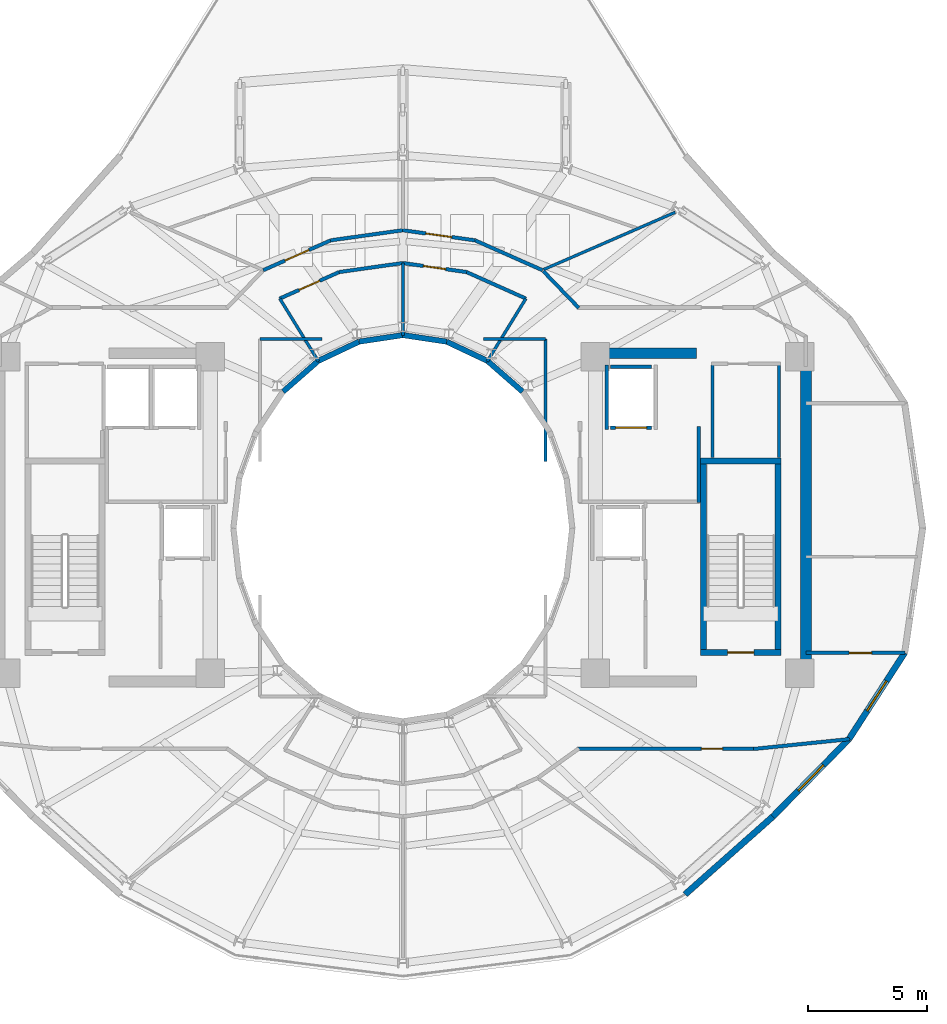
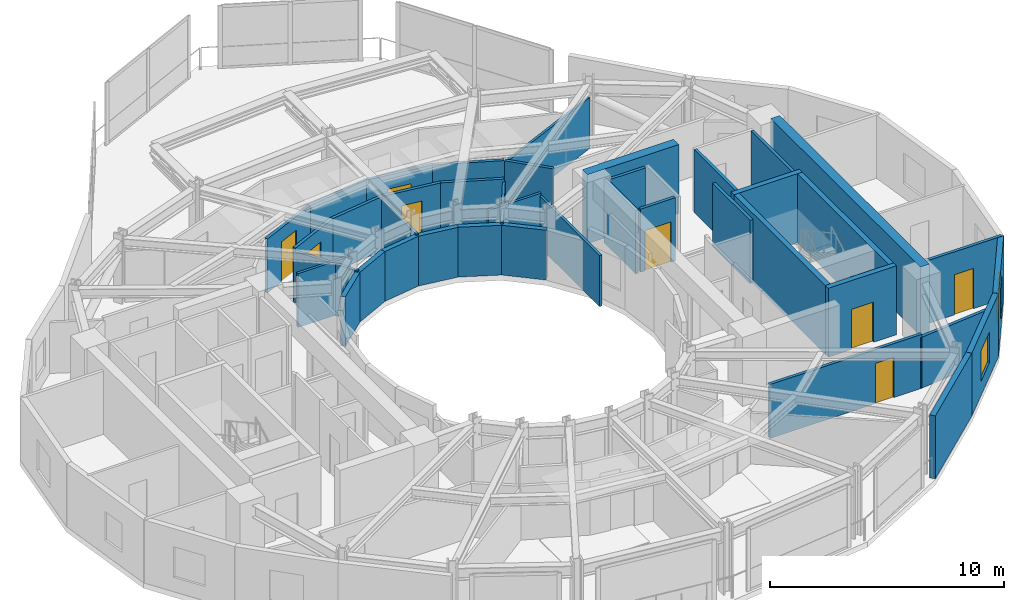
# One storey, part 15 of 19: 40 walls, 8 doors, 2 windows, 10 openings.
"""IFC4 building model written with IfcOpenShell, lengths in metres."""

from ifc_helpers import new_model, si_unit, direction, frame, frame_2d, origin, place, context, subcontext, project, spatial, rectangle, extrude, material, layer, layer_set, type_object, element, fill, save


model = new_model("IFC4")

# Units and contexts
model_context = context("Model", 3, precision=1e-05, world=origin(), true_north=direction((0.0, 1.0)))
body_context = subcontext(model_context, "Body", "Model", "MODEL_VIEW")
ifc_project = project(units=[si_unit("LENGTHUNIT", "METRE"), si_unit("AREAUNIT", "SQUARE_METRE"), si_unit("VOLUMEUNIT", "CUBIC_METRE"), si_unit("PLANEANGLEUNIT", "RADIAN"), si_unit("MASSUNIT", "GRAM", prefix="KILO")], contexts=[model_context])

# Site, building, storey
site_placement = place(None, origin())
site = spatial("IfcSite", under=ifc_project, at=site_placement, CompositionType="ELEMENT")
building_placement = place(site_placement, origin())
building = spatial("IfcBuilding", under=site, at=building_placement, Name="Solvane Sanctuary Tower", CompositionType="ELEMENT")
storey_placement = place(building_placement, frame((0.0, 0.0, 242.39990234375)))
storey = spatial("IfcBuildingStorey", under=building, at=storey_placement, Name="L74", CompositionType="ELEMENT", Elevation=242.39990234375)

# Walls
ifc_material_1 = material(Name="Concrete C50/60", Category="concrete")
ifc_layer_1 = layer(ifc_material_1, 0.449951171875, Name="Concrete C50/60")
ifc_layer_set_1 = layer_set([ifc_layer_1], Name="Concrete C50/60")
wall_type_1 = type_object("IfcWallType", Name="Wall W-CORE-450", PredefinedType="SHEAR", material=ifc_layer_set_1)
wall_1_placement = place(storey_placement, frame((48.949951171875, 17.050048828125, 0.0), z_axis=(0.0, 0.0, 1.0), x_axis=(0.0, 1.0, 0.0)))
element("IfcWall", 1, at=wall_1_placement, inside=storey, type_object=wall_type_1, Name="L74 Core Shear Wall EC-E", PredefinedType="SHEAR", context=body_context, shape_type="SweptSolid", body=[
    extrude(rectangle(XDim=12.800048828125, YDim=0.449951171875, at=frame_2d((6.39990234375, 0.0))), origin(), (0.0, 0.0, 1.0), 3.60009765625),
])
wall_2_placement = place(storey_placement, frame((39.85009765625, 30.35009765625, 0.0), z_axis=(0.0, 0.0, 1.0), x_axis=(1.0, 0.0, 0.0)))
element("IfcWall", 2, at=wall_2_placement, inside=storey, type_object=wall_type_1, Name="L74 Core Shear Wall EC-N", PredefinedType="SHEAR", context=body_context, shape_type="SweptSolid", body=[
    extrude(rectangle(XDim=4.5, YDim=0.449951171875, at=frame_2d((2.25, 0.0))), origin(), (0.0, 0.0, 1.0), 3.60009765625),
])
ifc_material_2 = material(Name="Acoustic Gypsum Partition Board")
ifc_layer_2 = layer(ifc_material_2, 0.14990234375, Name="Acoustic Gypsum Partition Board")
ifc_layer_set_2 = layer_set([ifc_layer_2], Name="Acoustic Gypsum Partition Board")
wall_type_2 = type_object("IfcWallType", Name="Wall W-CORR-150", PredefinedType="PARTITIONING", material=ifc_layer_set_2)
wall_3_placement = place(storey_placement, frame((44.449951171875, 24.080078125, 0.0), z_axis=(0.0, 0.0, 1.0), x_axis=(0.0, 1.0, 0.0)))
element("IfcWall", 3, at=wall_3_placement, inside=storey, type_object=wall_type_2, Name="L74 East Firefighting Lobby East Wall", PredefinedType="PARTITIONING", context=body_context, shape_type="SweptSolid", body=[
    extrude(rectangle(XDim=3.199951171875, YDim=0.14990234375, at=frame_2d((1.60009765625, 0.0))), origin(), (0.0, 0.0, 1.0), 3.295166015625),
])
wall_4_placement = place(storey_placement, frame((37.181396484375, 32.65234375, 0.0), z_axis=(0.0, 0.0, 1.0), x_axis=(-0.913120130558, 0.407690602257, 0.0)))
element("IfcWall", 4, at=wall_4_placement, inside=storey, type_object=wall_type_2, Name="L74 Light-Well Alcove Corridor Wall 1", PredefinedType="PARTITIONING", context=body_context, shape_type="SweptSolid", body=[
    extrude(rectangle(XDim=2.74267578125, YDim=0.14990234375, at=frame_2d((1.371337890625, 0.0))), origin(), (0.0, 0.0, 1.0), 2.822998046875),
])

# Wall, opening, door
wall_5_placement = place(storey_placement, frame((34.680419921875, 33.76953125, 0.0), z_axis=(0.0, 0.0, 1.0), x_axis=(-0.990132151456, 0.140136799779, 0.0)))
wall_5 = element("IfcWall", 5, at=wall_5_placement, inside=storey, type_object=wall_type_2, Name="L74 Light-Well Alcove Corridor Wall 1", PredefinedType="PARTITIONING", context=body_context, shape_type="SweptSolid", body=[
    extrude(rectangle(XDim=2.71435546875, YDim=0.14990234375, at=frame_2d((1.357177734375, 0.0))), origin(), (0.0, 0.0, 1.0), 2.822998046875),
])
opening_1_placement = place(wall_5_placement, frame((0.882080078125, 0.0, 0.0)))
opening_1 = element("IfcOpeningElement", 6, at=opening_1_placement, cuts=wall_5, Name="Opening D-L74-09", PredefinedType="OPENING", context=body_context, shape_type="SweptSolid", body=[
    extrude(rectangle(XDim=0.949951171875, YDim=2.10009765625, at=frame_2d((0.47509765625, 1.050048828125))), frame((0.0, 0.0849609375, 0.0), z_axis=(0.0, -1.0, 0.0), x_axis=(1.0, 0.0, 0.0)), (0.0, 0.0, 1.0), 0.169921875),
])
ifc_material_3 = material(Name="Engineered Tropical Hardwood", Category="wood")
door_type_1 = type_object("IfcDoorType", Name="Door D-ROOM-950", OperationType="NOTDEFINED", PredefinedType="DOOR", material=ifc_material_3)
door_1_placement = place(opening_1_placement, origin())
door_1 = element("IfcDoor", 7, at=door_1_placement, inside=storey, type_object=door_type_1, Name="L74 Light-Well Alcove Door 1", OperationType="SINGLE_SWING_RIGHT", OverallHeight=2.10009765625, OverallWidth=0.949951171875, PredefinedType="DOOR", context=body_context, shape_type="SweptSolid", body=[
    extrude(rectangle(XDim=0.949951171875, YDim=2.10009765625, at=frame_2d((0.47509765625, 1.050048828125))), frame((0.0, 0.02490234375, 0.0), z_axis=(0.0, -1.0, 0.0), x_axis=(1.0, 0.0, 0.0)), (0.0, 0.0, 1.0), 0.050048828125),
])
fill(opening_1, door_1)

# Wall
wall_6_placement = place(storey_placement, frame((32.007080078125, 34.14990234375, 0.0), z_axis=(0.0, 0.0, 1.0), x_axis=(-0.990132151456, -0.140136799779, 0.0)))
element("IfcWall", 8, at=wall_6_placement, inside=storey, type_object=wall_type_2, Name="L74 Light-Well Alcove Corridor Wall 2", PredefinedType="PARTITIONING", context=body_context, shape_type="SweptSolid", body=[
    extrude(rectangle(XDim=2.71435546875, YDim=0.14990234375, at=frame_2d((1.357177734375, 0.0))), origin(), (0.0, 0.0, 1.0), 2.822998046875),
])

# Wall, opening, door
wall_7_placement = place(storey_placement, frame((29.322998046875, 33.7705078125, 0.0), z_axis=(0.0, 0.0, 1.0), x_axis=(-0.913120130558, -0.407690602257, 0.0)))
wall_7 = element("IfcWall", 9, at=wall_7_placement, inside=storey, type_object=wall_type_2, Name="L74 Light-Well Alcove Corridor Wall 2", PredefinedType="PARTITIONING", context=body_context, shape_type="SweptSolid", body=[
    extrude(rectangle(XDim=2.74267578125, YDim=0.14990234375, at=frame_2d((1.371337890625, 0.0))), origin(), (0.0, 0.0, 1.0), 2.822998046875),
])
opening_2_placement = place(wall_7_placement, frame((0.896240234375, 0.0, 0.0)))
opening_2 = element("IfcOpeningElement", 10, at=opening_2_placement, cuts=wall_7, Name="Opening D-L74-10", PredefinedType="OPENING", context=body_context, shape_type="SweptSolid", body=[
    extrude(rectangle(XDim=0.949951171875, YDim=2.10009765625, at=frame_2d((0.47509765625, 1.050048828125))), frame((0.0, 0.0849609375, 0.0), z_axis=(0.0, -1.0, 0.0), x_axis=(1.0, 0.0, 0.0)), (0.0, 0.0, 1.0), 0.169921875),
])
door_2_placement = place(opening_2_placement, origin())
door_2 = element("IfcDoor", 11, at=door_2_placement, inside=storey, type_object=door_type_1, Name="L74 Light-Well Alcove Door 2", OperationType="SINGLE_SWING_LEFT", OverallHeight=2.10009765625, OverallWidth=0.949951171875, PredefinedType="DOOR", context=body_context, shape_type="SweptSolid", body=[
    extrude(rectangle(XDim=0.949951171875, YDim=2.10009765625, at=frame_2d((0.47509765625, 1.050048828125))), frame((0.0, 0.02490234375, 0.0), z_axis=(0.0, -1.0, 0.0), x_axis=(1.0, 0.0, 0.0)), (0.0, 0.0, 1.0), 0.050048828125),
])
fill(opening_2, door_2)

wall_8_placement = place(storey_placement, frame((48.949951171875, 17.754638671875, 0.0), z_axis=(0.0, 0.0, 1.0), x_axis=(1.0, 0.0, 0.0)))
wall_8 = element("IfcWall", 12, at=wall_8_placement, inside=storey, type_object=wall_type_2, Name="L74 East Shoulder South Wall", PredefinedType="PARTITIONING", context=body_context, shape_type="SweptSolid", body=[
    extrude(rectangle(XDim=4.174560546875, YDim=0.14990234375, at=frame_2d((2.08740234375, 0.0))), origin(), (0.0, 0.0, 1.0), 3.295166015625),
])
opening_3_placement = place(wall_8_placement, frame((1.817138671875, 0.0, 0.0)))
opening_3 = element("IfcOpeningElement", 13, at=opening_3_placement, cuts=wall_8, Name="Opening D-L74-13", PredefinedType="OPENING", context=body_context, shape_type="SweptSolid", body=[
    extrude(rectangle(XDim=0.949951171875, YDim=2.10009765625, at=frame_2d((0.47509765625, 1.050048828125))), frame((0.0, 0.0849609375, 0.0), z_axis=(0.0, -1.0, 0.0), x_axis=(1.0, 0.0, 0.0)), (0.0, 0.0, 1.0), 0.169921875),
])
door_3_placement = place(opening_3_placement, origin())
door_3 = element("IfcDoor", 14, at=door_3_placement, inside=storey, type_object=door_type_1, Name="L74 East Shoulder South Door", OperationType="SINGLE_SWING_RIGHT", OverallHeight=2.10009765625, OverallWidth=0.949951171875, PredefinedType="DOOR", context=body_context, shape_type="SweptSolid", body=[
    extrude(rectangle(XDim=0.949951171875, YDim=2.10009765625, at=frame_2d((0.47509765625, 1.050048828125))), frame((0.0, 0.02490234375, 0.0), z_axis=(0.0, -1.0, 0.0), x_axis=(1.0, 0.0, 0.0)), (0.0, 0.0, 1.0), 0.050048828125),
])
fill(opening_3, door_3)

# Wall
wall_9_placement = place(storey_placement, frame((37.9033203125, 33.811767578125, 0.0), z_axis=(0.0, 0.0, 1.0), x_axis=(0.694032962553, -0.719943224768, 0.0)))
element("IfcWall", 15, at=wall_9_placement, inside=storey, type_object=wall_type_2, Name="L74 NE Corner Throat Wall", PredefinedType="PARTITIONING", context=body_context, shape_type="SweptSolid", body=[
    extrude(rectangle(XDim=2.15771484375, YDim=0.14990234375, at=frame_2d((1.078857421875, 0.0))), origin(), (0.0, 0.0, 1.0), 2.816162109375),
])

# Wall, opening, door
wall_10_placement = place(storey_placement, frame((39.330078125, 13.719970703125, 0.0), z_axis=(0.0, 0.0, 1.0), x_axis=(1.0, 0.0, 0.0)))
wall_10 = element("IfcWall", 16, at=wall_10_placement, inside=storey, type_object=wall_type_2, Name="L74 SE Corner Corridor Wall", PredefinedType="PARTITIONING", context=body_context, shape_type="SweptSolid", body=[
    extrude(rectangle(XDim=7.52001953125, YDim=0.14990234375, at=frame_2d((3.760009765625, 0.0))), origin(), (0.0, 0.0, 1.0), 2.816162109375),
])
opening_4_placement = place(wall_10_placement, frame((5.219970703125, 0.0, 0.0)))
opening_4 = element("IfcOpeningElement", 17, at=opening_4_placement, cuts=wall_10, Name="Opening D-L74-22", PredefinedType="OPENING", context=body_context, shape_type="SweptSolid", body=[
    extrude(rectangle(XDim=0.89990234375, YDim=2.10009765625, at=frame_2d((0.449951171875, 1.050048828125))), frame((0.0, 0.0849609375, 0.0), z_axis=(0.0, -1.0, 0.0), x_axis=(1.0, 0.0, 0.0)), (0.0, 0.0, 1.0), 0.169921875),
])
door_type_2 = type_object("IfcDoorType", Name="Door D-WET-900", OperationType="NOTDEFINED", PredefinedType="DOOR", material=ifc_material_3)
door_4_placement = place(opening_4_placement, origin())
door_4 = element("IfcDoor", 18, at=door_4_placement, inside=storey, type_object=door_type_2, Name="L74 SE Corner Salon Door", OperationType="SINGLE_SWING_LEFT", OverallHeight=2.10009765625, OverallWidth=0.89990234375, PredefinedType="DOOR", context=body_context, shape_type="SweptSolid", body=[
    extrude(rectangle(XDim=0.89990234375, YDim=2.10009765625, at=frame_2d((0.449951171875, 1.050048828125))), frame((0.0, 0.02490234375, 0.0), z_axis=(0.0, -1.0, 0.0), x_axis=(1.0, 0.0, 0.0)), (0.0, 0.0, 1.0), 0.050048828125),
])
fill(opening_4, door_4)

# Walls
wall_11_placement = place(storey_placement, frame((46.750244140625, 13.71484375, 0.0), z_axis=(0.0, 0.0, 1.0), x_axis=(0.994734711466, 0.102483431859, 0.0)))
element("IfcWall", 19, at=wall_11_placement, inside=storey, type_object=wall_type_2, Name="L74 SE Corner Wing Wall", PredefinedType="PARTITIONING", context=body_context, shape_type="SweptSolid", body=[
    extrude(rectangle(XDim=4.04736328125, YDim=0.14990234375, at=frame_2d((2.023681640625, 0.0))), origin(), (0.0, 0.0, 1.0), 2.66015625),
])
wall_12_placement = place(storey_placement, frame((37.8720703125, 33.846923828125, 0.0), z_axis=(0.0, 0.0, 1.0), x_axis=(-0.914384748819, 0.404846305563, 0.0)))
element("IfcWall", 20, at=wall_12_placement, inside=storey, type_object=wall_type_2, Name="L74 Sky Promenade Corridor Wall N1", PredefinedType="PARTITIONING", context=body_context, shape_type="SweptSolid", body=[
    extrude(rectangle(XDim=3.103759765625, YDim=0.14990234375, at=frame_2d((1.5517578125, 0.0))), origin(), (0.0, 0.0, 1.0), 2.822998046875),
])

# Wall, opening, door
wall_13_placement = place(storey_placement, frame((35.037841796875, 35.1025390625, 0.0), z_axis=(0.0, 0.0, 1.0), x_axis=(-0.990295701983, 0.138976338396, 0.0)))
wall_13 = element("IfcWall", 21, at=wall_13_placement, inside=storey, type_object=wall_type_2, Name="L74 Sky Promenade Corridor Wall N1", PredefinedType="PARTITIONING", context=body_context, shape_type="SweptSolid", body=[
    extrude(rectangle(XDim=3.075927734375, YDim=0.14990234375, at=frame_2d((1.5380859375, 0.0))), origin(), (0.0, 0.0, 1.0), 2.822998046875),
])
opening_5_placement = place(wall_13_placement, frame((0.988037109375, 0.0, 0.0)))
opening_5 = element("IfcOpeningElement", 22, at=opening_5_placement, cuts=wall_13, Name="Opening D-L74-23", PredefinedType="OPENING", context=body_context, shape_type="SweptSolid", body=[
    extrude(rectangle(XDim=1.10009765625, YDim=2.10009765625, at=frame_2d((0.550048828125, 1.050048828125))), frame((0.0, 0.0849609375, 0.0), z_axis=(0.0, -1.0, 0.0), x_axis=(1.0, 0.0, 0.0)), (0.0, 0.0, 1.0), 0.169921875),
])
ifc_material_4 = material(Name="Architectural Stainless Steel 316", Category="steel")
door_type_3 = type_object("IfcDoorType", Name="Door D-FFL", OperationType="NOTDEFINED", PredefinedType="DOOR", material=ifc_material_4)
door_5_placement = place(opening_5_placement, origin())
door_5 = element("IfcDoor", 23, at=door_5_placement, inside=storey, type_object=door_type_3, Name="L74 Sky Hall Entrance Door N1", OperationType="SINGLE_SWING_RIGHT", OverallHeight=2.10009765625, OverallWidth=1.10009765625, PredefinedType="DOOR", context=body_context, shape_type="SweptSolid", body=[
    extrude(rectangle(XDim=1.10009765625, YDim=2.10009765625, at=frame_2d((0.550048828125, 1.050048828125))), frame((0.0, 0.02490234375, 0.0), z_axis=(0.0, -1.0, 0.0), x_axis=(1.0, 0.0, 0.0)), (0.0, 0.0, 1.0), 0.050048828125),
])
fill(opening_5, door_5)

# Wall
wall_14_placement = place(storey_placement, frame((32.00830078125, 35.530029296875, 0.0), z_axis=(0.0, 0.0, 1.0), x_axis=(-0.990295701983, -0.138976338396, 0.0)))
element("IfcWall", 24, at=wall_14_placement, inside=storey, type_object=wall_type_2, Name="L74 Sky Promenade Corridor Wall N2", PredefinedType="PARTITIONING", context=body_context, shape_type="SweptSolid", body=[
    extrude(rectangle(XDim=3.075927734375, YDim=0.14990234375, at=frame_2d((1.5380859375, 0.0))), origin(), (0.0, 0.0, 1.0), 2.822998046875),
])

# Wall, opening, door
wall_15_placement = place(storey_placement, frame((28.966064453125, 35.103515625, 0.0), z_axis=(0.0, 0.0, 1.0), x_axis=(-0.914384748819, -0.404846305563, 0.0)))
wall_15 = element("IfcWall", 25, at=wall_15_placement, inside=storey, type_object=wall_type_2, Name="L74 Sky Promenade Corridor Wall N2", PredefinedType="PARTITIONING", context=body_context, shape_type="SweptSolid", body=[
    extrude(rectangle(XDim=3.103759765625, YDim=0.14990234375, at=frame_2d((1.5517578125, 0.0))), origin(), (0.0, 0.0, 1.0), 2.822998046875),
])
opening_6_placement = place(wall_15_placement, frame((1.001953125, 0.0, 0.0)))
opening_6 = element("IfcOpeningElement", 26, at=opening_6_placement, cuts=wall_15, Name="Opening D-L74-24", PredefinedType="OPENING", context=body_context, shape_type="SweptSolid", body=[
    extrude(rectangle(XDim=1.10009765625, YDim=2.10009765625, at=frame_2d((0.550048828125, 1.050048828125))), frame((0.0, 0.0849609375, 0.0), z_axis=(0.0, -1.0, 0.0), x_axis=(1.0, 0.0, 0.0)), (0.0, 0.0, 1.0), 0.169921875),
])
door_6_placement = place(opening_6_placement, origin())
door_6 = element("IfcDoor", 27, at=door_6_placement, inside=storey, type_object=door_type_3, Name="L74 Sky Hall Entrance Door N2", OperationType="SINGLE_SWING_LEFT", OverallHeight=2.10009765625, OverallWidth=1.10009765625, PredefinedType="DOOR", context=body_context, shape_type="SweptSolid", body=[
    extrude(rectangle(XDim=1.10009765625, YDim=2.10009765625, at=frame_2d((0.550048828125, 1.050048828125))), frame((0.0, 0.02490234375, 0.0), z_axis=(0.0, -1.0, 0.0), x_axis=(1.0, 0.0, 0.0)), (0.0, 0.0, 1.0), 0.050048828125),
])
fill(opening_6, door_6)

# Wall
ifc_material_5 = material(Name="Precast concrete C40/50", Category="concrete")
ifc_layer_3 = layer(ifc_material_5, 0.260009765625, Name="Precast concrete C40/50")
ifc_layer_set_3 = layer_set([ifc_layer_3], Name="Precast concrete C40/50")
wall_type_3 = type_object("IfcWallType", Name="Wall W-EXT-250", PredefinedType="STANDARD", material=ifc_layer_set_3)
wall_16_placement = place(storey_placement, frame((43.8701171875, 7.600830078125, 0.0), z_axis=(0.0, 0.0, 1.0), x_axis=(0.748165854006, 0.663511759428, 0.0)))
element("IfcWall", 28, at=wall_16_placement, inside=storey, type_object=wall_type_3, Name="L74 Ceramic-Printed Facade Wall 20", PredefinedType="STANDARD", context=body_context, shape_type="SweptSolid", body=[
    extrude(rectangle(XDim=4.9287109375, YDim=0.260009765625, at=frame_2d((2.46435546875, 0.0))), origin(), (0.0, 0.0, 1.0), 3.2900390625),
])

# Wall, opening, window
wall_17_placement = place(storey_placement, frame((47.5576171875, 10.87109375, 0.0), z_axis=(0.0, 0.0, 1.0), x_axis=(0.700642973333, 0.713512034881, 0.0)))
wall_17 = element("IfcWall", 29, at=wall_17_placement, inside=storey, type_object=wall_type_3, Name="L74 Ceramic-Printed Facade Wall 21", PredefinedType="STANDARD", context=body_context, shape_type="SweptSolid", body=[
    extrude(rectangle(XDim=4.572021484375, YDim=0.260009765625, at=frame_2d((2.2861328125, 0.0))), origin(), (0.0, 0.0, 1.0), 3.2900390625),
])
opening_7_placement = place(wall_17_placement, frame((1.535888671875, 0.0, 0.75)))
opening_7 = element("IfcOpeningElement", 30, at=opening_7_placement, cuts=wall_17, Name="Opening WN-OPER-1500", PredefinedType="OPENING", context=body_context, shape_type="SweptSolid", body=[
    extrude(rectangle(XDim=1.5, YDim=1.60009765625, at=frame_2d((0.75, 0.800048828125))), frame((0.0, 0.139892578125, 0.0), z_axis=(0.0, -1.0, 0.0), x_axis=(1.0, 0.0, 0.0)), (0.0, 0.0, 1.0), 0.280029296875),
])
ifc_material_6 = material(Name="Dark Ceramic-Fritted Low-E Glass", Category="glass")
window_type = type_object("IfcWindowType", Name="Window WN-OPER-1500", PartitioningType="SINGLE_PANEL", PredefinedType="WINDOW", material=ifc_material_6)
window_1_placement = place(opening_7_placement, origin())
window_1 = element("IfcWindow", 31, at=window_1_placement, inside=storey, type_object=window_type, Name="L74 Operable Facade Window 21", OverallHeight=1.60009765625, OverallWidth=1.5, PartitioningType="SINGLE_PANEL", PredefinedType="WINDOW", context=body_context, shape_type="SweptSolid", body=[
    extrude(rectangle(XDim=1.5, YDim=1.60009765625, at=frame_2d((0.75, 0.800048828125))), frame((0.0, 0.030029296875, 0.0), z_axis=(0.0, -1.0, 0.0), x_axis=(1.0, 0.0, 0.0)), (0.0, 0.0, 1.0), 0.06005859375),
])
fill(opening_7, window_1)

wall_18_placement = place(storey_placement, frame((50.760986328125, 14.13330078125, 0.0), z_axis=(0.0, 0.0, 1.0), x_axis=(0.542641766008, 0.839964233634, 0.0)))
wall_18 = element("IfcWall", 32, at=wall_18_placement, inside=storey, type_object=wall_type_3, Name="L74 Ceramic-Printed Facade Wall 22", PredefinedType="STANDARD", context=body_context, shape_type="SweptSolid", body=[
    extrude(rectangle(XDim=4.319091796875, YDim=0.260009765625, at=frame_2d((2.15966796875, 0.0))), origin(), (0.0, 0.0, 1.0), 3.2900390625),
])
opening_8_placement = place(wall_18_placement, frame((1.40966796875, 0.0, 0.75)))
opening_8 = element("IfcOpeningElement", 33, at=opening_8_placement, cuts=wall_18, Name="Opening WN-OPER-1500", PredefinedType="OPENING", context=body_context, shape_type="SweptSolid", body=[
    extrude(rectangle(XDim=1.5, YDim=1.60009765625, at=frame_2d((0.75, 0.800048828125))), frame((0.0, 0.139892578125, 0.0), z_axis=(0.0, -1.0, 0.0), x_axis=(1.0, 0.0, 0.0)), (0.0, 0.0, 1.0), 0.280029296875),
])
window_2_placement = place(opening_8_placement, origin())
window_2 = element("IfcWindow", 34, at=window_2_placement, inside=storey, type_object=window_type, Name="L74 Operable Facade Window 22", OverallHeight=1.60009765625, OverallWidth=1.5, PartitioningType="SINGLE_PANEL", PredefinedType="WINDOW", context=body_context, shape_type="SweptSolid", body=[
    extrude(rectangle(XDim=1.5, YDim=1.60009765625, at=frame_2d((0.75, 0.800048828125))), frame((0.0, 0.030029296875, 0.0), z_axis=(0.0, -1.0, 0.0), x_axis=(1.0, 0.0, 0.0)), (0.0, 0.0, 1.0), 0.06005859375),
])
fill(opening_8, window_2)

# Walls
ifc_layer_4 = layer(ifc_material_5, 0.22998046875, Name="Precast concrete C40/50")
ifc_layer_set_4 = layer_set([ifc_layer_4], Name="Precast concrete C40/50")
wall_type_4 = type_object("IfcWallType", Name="Wall W-EXT-SP220", PredefinedType="STANDARD", material=ifc_layer_set_4)
wall_19_placement = place(storey_placement, frame((37.03466796875, 28.74169921875, 0.0), z_axis=(0.0, 0.0, 1.0), x_axis=(-0.752576694707, 0.658504607869, 0.0)))
element("IfcWall", 35, at=wall_19_placement, inside=storey, type_object=wall_type_4, Name="L74 Central Light-Well Wall 03", PredefinedType="STANDARD", context=body_context, shape_type="SweptSolid", body=[
    extrude(rectangle(XDim=1.95947265625, YDim=0.22998046875, at=frame_2d((0.979736328125, 0.0))), origin(), (0.0, 0.0, 1.0), 2.60009765625),
])
wall_20_placement = place(storey_placement, frame((35.56005859375, 30.031982421875, 0.0), z_axis=(0.0, 0.0, 1.0), x_axis=(-0.904179699603, 0.427152280606, 0.0)))
element("IfcWall", 36, at=wall_20_placement, inside=storey, type_object=wall_type_4, Name="L74 Central Light-Well Wall 04", PredefinedType="STANDARD", context=body_context, shape_type="SweptSolid", body=[
    extrude(rectangle(XDim=1.899169921875, YDim=0.22998046875, at=frame_2d((0.94970703125, 0.0))), origin(), (0.0, 0.0, 1.0), 2.60009765625),
])
for number, where, z_axis, x_axis, name in (
    (37, (33.8427734375, 30.84326171875, 0.0), (0.0, 0.0, 1.0), (-0.988901730308, 0.148571086668, 0.0), "L74 Central Light-Well Wall 05"),
    (38, (32.0, 31.1201171875, 0.0), (0.0, 0.0, 1.0), (-0.988901730308, -0.148571086668, 0.0), "L74 Central Light-Well Wall 06"),
):
    element("IfcWall", number, at=place(storey_placement, frame(where, z_axis=z_axis, x_axis=x_axis)), inside=storey, type_object=wall_type_4, Name=name, PredefinedType="STANDARD", context=body_context, shape_type="SweptSolid", body=[
        extrude(rectangle(XDim=1.863525390625, YDim=0.22998046875, at=frame_2d((0.931640625, 0.0))), origin(), (0.0, 0.0, 1.0), 2.60009765625),
    ])
wall_21_placement = place(storey_placement, frame((30.1572265625, 30.84326171875, 0.0), z_axis=(0.0, 0.0, 1.0), x_axis=(-0.904179699603, -0.427152280606, 0.0)))
element("IfcWall", 39, at=wall_21_placement, inside=storey, type_object=wall_type_4, Name="L74 Central Light-Well Wall 07", PredefinedType="STANDARD", context=body_context, shape_type="SweptSolid", body=[
    extrude(rectangle(XDim=1.899169921875, YDim=0.22998046875, at=frame_2d((0.94970703125, 0.0))), origin(), (0.0, 0.0, 1.0), 2.60009765625),
])
wall_22_placement = place(storey_placement, frame((28.43994140625, 30.031982421875, 0.0), z_axis=(0.0, 0.0, 1.0), x_axis=(-0.752576694707, -0.658504607869, 0.0)))
element("IfcWall", 40, at=wall_22_placement, inside=storey, type_object=wall_type_4, Name="L74 Central Light-Well Wall 08", PredefinedType="STANDARD", context=body_context, shape_type="SweptSolid", body=[
    extrude(rectangle(XDim=1.95947265625, YDim=0.22998046875, at=frame_2d((0.979736328125, 0.0))), origin(), (0.0, 0.0, 1.0), 2.60009765625),
])
ifc_layer_5 = layer(ifc_material_2, 0.1201171875, Name="Acoustic Gypsum Partition Board")
ifc_layer_set_5 = layer_set([ifc_layer_5], Name="Acoustic Gypsum Partition Board")
wall_type_5 = type_object("IfcWallType", Name="Wall W-MOV-100", PredefinedType="MOVABLE", material=ifc_layer_set_5)
wall_23_placement = place(storey_placement, frame((37.915283203125, 33.873291015625, 0.0), z_axis=(0.0, 0.0, 1.0), x_axis=(0.916946661839, 0.399009798554, 0.0)))
element("IfcWall", 41, at=wall_23_placement, inside=storey, type_object=wall_type_5, Name="L74 Sky Hall Radial Partition 060", PredefinedType="MOVABLE", context=body_context, shape_type="SweptSolid", body=[
    extrude(rectangle(XDim=6.04150390625, YDim=0.1201171875, at=frame_2d((3.020751953125, 0.0))), origin(), (0.0, 0.0, 1.0), 2.66015625),
])
ifc_layer_6 = layer(ifc_material_2, 0.125, Name="Acoustic Gypsum Partition Board")
ifc_layer_set_6 = layer_set([ifc_layer_6], Name="Acoustic Gypsum Partition Board")
wall_type_6 = type_object("IfcWallType", Name="Wall W-PART-125", PredefinedType="PARTITIONING", material=ifc_layer_set_6)
wall_24_placement = place(storey_placement, frame((35.550048828125, 30.014892578125, 0.0), z_axis=(0.0, 0.0, 1.0), x_axis=(0.523992004803, 0.851723182086, 0.0)))
element("IfcWall", 42, at=wall_24_placement, inside=storey, type_object=wall_type_6, Name="L74 Light-Well Alcove Radial Wall 60", PredefinedType="PARTITIONING", context=body_context, shape_type="SweptSolid", body=[
    extrude(rectangle(XDim=3.10107421875, YDim=0.125, at=frame_2d((1.550537109375, 0.0))), origin(), (0.0, 0.0, 1.0), 2.672119140625),
])
wall_25_placement = place(storey_placement, frame((32.0, 31.10009765625, 0.0), z_axis=(0.0, 0.0, 1.0), x_axis=(0.0, 1.0, 0.0)))
element("IfcWall", 43, at=wall_25_placement, inside=storey, type_object=wall_type_6, Name="L74 Light-Well Alcove Radial Wall 90", PredefinedType="PARTITIONING", context=body_context, shape_type="SweptSolid", body=[
    extrude(rectangle(XDim=3.0498046875, YDim=0.125, at=frame_2d((1.52490234375, 0.0))), origin(), (0.0, 0.0, 1.0), 2.672119140625),
])
wall_26_placement = place(storey_placement, frame((28.449951171875, 30.014892578125, 0.0), z_axis=(0.0, 0.0, 1.0), x_axis=(-0.523992004803, 0.851723182086, 0.0)))
element("IfcWall", 44, at=wall_26_placement, inside=storey, type_object=wall_type_6, Name="L74 Light-Well Alcove Radial Wall 120", PredefinedType="PARTITIONING", context=body_context, shape_type="SweptSolid", body=[
    extrude(rectangle(XDim=3.10107421875, YDim=0.125, at=frame_2d((1.550537109375, 0.0))), origin(), (0.0, 0.0, 1.0), 2.672119140625),
])
wall_27_placement = place(storey_placement, frame((26.0, 30.9599609375, 0.0), z_axis=(0.0, 0.0, 1.0), x_axis=(1.0, 0.0, 0.0)))
element("IfcWall", 45, at=wall_27_placement, inside=storey, type_object=wall_type_6, Name="L74 Bridge Alcove Wall 2", PredefinedType="PARTITIONING", context=body_context, shape_type="SweptSolid", body=[
    extrude(rectangle(XDim=2.60009765625, YDim=0.125, at=frame_2d((1.300048828125, 0.0))), origin(), (0.0, 0.0, 1.0), 2.816162109375),
])
wall_28_placement = place(storey_placement, frame((38.0, 25.800048828125, 0.0), z_axis=(0.0, 0.0, 1.0), x_axis=(0.0, 1.0, 0.0)))
element("IfcWall", 46, at=wall_28_placement, inside=storey, type_object=wall_type_6, Name="L74 Bridge Alcove Wall 3", PredefinedType="PARTITIONING", context=body_context, shape_type="SweptSolid", body=[
    extrude(rectangle(XDim=5.159912109375, YDim=0.125, at=frame_2d((2.580078125, 0.0))), origin(), (0.0, 0.0, 1.0), 2.672119140625),
])
wall_29_placement = place(storey_placement, frame((35.39990234375, 30.9599609375, 0.0), z_axis=(0.0, 0.0, 1.0), x_axis=(1.0, 0.0, 0.0)))
element("IfcWall", 47, at=wall_29_placement, inside=storey, type_object=wall_type_6, Name="L74 Bridge Alcove Wall 4", PredefinedType="PARTITIONING", context=body_context, shape_type="SweptSolid", body=[
    extrude(rectangle(XDim=2.60009765625, YDim=0.125, at=frame_2d((1.300048828125, 0.0))), origin(), (0.0, 0.0, 1.0), 2.816162109375),
])

# Wall, opening, door
ifc_layer_7 = layer(ifc_material_1, 0.14990234375, Name="Concrete C50/60")
ifc_layer_set_7 = layer_set([ifc_layer_7], Name="Concrete C50/60")
wall_type_7 = type_object("IfcWallType", Name="Wall W-SHAFT-150", PredefinedType="SOLIDWALL", material=ifc_layer_set_7)
wall_30_placement = place(storey_placement, frame((40.739990234375, 27.219970703125, 0.0), z_axis=(0.0, 0.0, 1.0), x_axis=(1.0, 0.0, 0.0)))
wall_30 = element("IfcWall", 48, at=wall_30_placement, inside=storey, type_object=wall_type_7, Name="L74 FFL-2 Lift Shaft Wall F", PredefinedType="SOLIDWALL", context=body_context, shape_type="SweptSolid", body=[
    extrude(rectangle(XDim=1.719970703125, YDim=0.14990234375, at=frame_2d((0.85986328125, 0.0))), origin(), (0.0, 0.0, 1.0), 3.295166015625),
])
opening_9_placement = place(wall_30_placement, frame((0.2099609375, 0.0, 0.0)))
opening_9 = element("IfcOpeningElement", 49, at=opening_9_placement, cuts=wall_30, Name="Opening LD-L74-05", PredefinedType="OPENING", context=body_context, shape_type="SweptSolid", body=[
    extrude(rectangle(XDim=1.300048828125, YDim=2.10009765625, at=frame_2d((0.64990234375, 1.050048828125))), frame((0.0, 0.0849609375, 0.0), z_axis=(0.0, -1.0, 0.0), x_axis=(1.0, 0.0, 0.0)), (0.0, 0.0, 1.0), 0.169921875),
])
door_type_4 = type_object("IfcDoorType", Name="Door LD-FFL-1300", OperationType="NOTDEFINED", PredefinedType="DOOR", material=ifc_material_4)
door_7_placement = place(opening_9_placement, origin())
door_7 = element("IfcDoor", 50, at=door_7_placement, inside=storey, type_object=door_type_4, Name="L74 FFL-2 Lift Landing Door", OperationType="DOUBLE_DOOR_SLIDING", OverallHeight=2.10009765625, OverallWidth=1.300048828125, PredefinedType="DOOR", context=body_context, shape_type="SweptSolid", body=[
    extrude(rectangle(XDim=1.300048828125, YDim=2.10009765625, at=frame_2d((0.64990234375, 1.050048828125))), frame((0.0, 0.02490234375, 0.0), z_axis=(0.0, -1.0, 0.0), x_axis=(1.0, 0.0, 0.0)), (0.0, 0.0, 1.0), 0.050048828125),
])
fill(opening_9, door_7)

# Walls
wall_31_placement = place(storey_placement, frame((40.739990234375, 29.780029296875, 0.0), z_axis=(0.0, 0.0, 1.0), x_axis=(1.0, 0.0, 0.0)))
element("IfcWall", 51, at=wall_31_placement, inside=storey, type_object=wall_type_7, Name="L74 FFL-2 Lift Shaft Wall B", PredefinedType="SOLIDWALL", context=body_context, shape_type="SweptSolid", body=[
    extrude(rectangle(XDim=1.719970703125, YDim=0.14990234375, at=frame_2d((0.85986328125, 0.0))), origin(), (0.0, 0.0, 1.0), 3.295166015625),
])
wall_32_placement = place(storey_placement, frame((40.570068359375, 27.139892578125, 0.0), z_axis=(0.0, 0.0, 1.0), x_axis=(0.0, 1.0, 0.0)))
element("IfcWall", 52, at=wall_32_placement, inside=storey, type_object=wall_type_7, Name="L74 FFL-2 Lift Shaft Wall S1", PredefinedType="SOLIDWALL", context=body_context, shape_type="SweptSolid", body=[
    extrude(rectangle(XDim=2.72021484375, YDim=0.14990234375, at=frame_2d((1.360107421875, 0.0))), origin(), (0.0, 0.0, 1.0), 3.295166015625),
])

# Wall, opening, door
ifc_layer_8 = layer(ifc_material_1, 0.25, Name="Concrete C50/60")
ifc_layer_set_8 = layer_set([ifc_layer_8], Name="Concrete C50/60")
wall_type_8 = type_object("IfcWallType", Name="Wall W-SHAFT-250", PredefinedType="SOLIDWALL", material=ifc_layer_set_8)
wall_33_placement = place(storey_placement, frame((44.52490234375, 17.77001953125, 0.0), z_axis=(0.0, 0.0, 1.0), x_axis=(1.0, 0.0, 0.0)))
wall_33 = element("IfcWall", 53, at=wall_33_placement, inside=storey, type_object=wall_type_8, Name="L74 ST-2 Load-Bearing Shaft Wall S", PredefinedType="SOLIDWALL", context=body_context, shape_type="SweptSolid", body=[
    extrude(rectangle(XDim=3.3701171875, YDim=0.25, at=frame_2d((1.68505859375, 0.0))), origin(), (0.0, 0.0, 1.0), 3.60009765625),
])
opening_10_placement = place(wall_33_placement, frame((1.135009765625, 0.0, 0.0)))
opening_10 = element("IfcOpeningElement", 54, at=opening_10_placement, cuts=wall_33, Name="Opening D-L74-02", PredefinedType="OPENING", context=body_context, shape_type="SweptSolid", body=[
    extrude(rectangle(XDim=1.10009765625, YDim=2.10009765625, at=frame_2d((0.550048828125, 1.050048828125))), frame((0.0, 0.135009765625, 0.0), z_axis=(0.0, -1.0, 0.0), x_axis=(1.0, 0.0, 0.0)), (0.0, 0.0, 1.0), 0.27001953125),
])
door_type_5 = type_object("IfcDoorType", Name="Door D-STAIR", OperationType="NOTDEFINED", PredefinedType="DOOR", material=ifc_material_4)
door_8_placement = place(opening_10_placement, origin())
door_8 = element("IfcDoor", 55, at=door_8_placement, inside=storey, type_object=door_type_5, Name="L74 ST-2 Exit Stair Fire Door", OperationType="SINGLE_SWING_RIGHT", OverallHeight=2.10009765625, OverallWidth=1.10009765625, PredefinedType="DOOR", context=body_context, shape_type="SweptSolid", body=[
    extrude(rectangle(XDim=1.10009765625, YDim=2.10009765625, at=frame_2d((0.550048828125, 1.050048828125))), frame((0.0, 0.02490234375, 0.0), z_axis=(0.0, -1.0, 0.0), x_axis=(1.0, 0.0, 0.0)), (0.0, 0.0, 1.0), 0.050048828125),
])
fill(opening_10, door_8)

# Walls
wall_34_placement = place(storey_placement, frame((44.52490234375, 25.830078125, 0.0), z_axis=(0.0, 0.0, 1.0), x_axis=(1.0, 0.0, 0.0)))
element("IfcWall", 56, at=wall_34_placement, inside=storey, type_object=wall_type_8, Name="L74 ST-2 Load-Bearing Shaft Wall N", PredefinedType="SOLIDWALL", context=body_context, shape_type="SweptSolid", body=[
    extrude(rectangle(XDim=3.3701171875, YDim=0.25, at=frame_2d((1.68505859375, 0.0))), origin(), (0.0, 0.0, 1.0), 3.60009765625),
])
for number, where, z_axis, x_axis, name in (
    (57, (44.64990234375, 17.89501953125, 0.0), (0.0, 0.0, 1.0), (0.0, 1.0, 0.0), "L74 ST-2 Load-Bearing Shaft Wall W"),
    (58, (47.77001953125, 17.89501953125, 0.0), (0.0, 0.0, 1.0), (0.0, 1.0, 0.0), "L74 ST-2 Load-Bearing Shaft Wall E"),
):
    element("IfcWall", number, at=place(storey_placement, frame(where, z_axis=z_axis, x_axis=x_axis)), inside=storey, type_object=wall_type_8, Name=name, PredefinedType="SOLIDWALL", context=body_context, shape_type="SweptSolid", body=[
        extrude(rectangle(XDim=7.81005859375, YDim=0.25, at=frame_2d((3.905029296875, 0.0))), origin(), (0.0, 0.0, 1.0), 3.60009765625),
    ])
ifc_layer_9 = layer(ifc_material_2, 0.139892578125, Name="Acoustic Gypsum Partition Board")
ifc_layer_set_9 = layer_set([ifc_layer_9], Name="Acoustic Gypsum Partition Board")
wall_type_9 = type_object("IfcWallType", Name="Wall W-WET-140", PredefinedType="PLUMBINGWALL", material=ifc_layer_set_9)
for number, where, z_axis, x_axis, name in (
    (59, (45.02001953125, 25.97998046875, 0.0), (0.0, 0.0, 1.0), (0.0, 1.0, 0.0), "L74 Core Service Side Wall KE0-1"),
    (60, (47.820068359375, 25.97998046875, 0.0), (0.0, 0.0, 1.0), (0.0, 1.0, 0.0), "L74 Core Service Side Wall KE0-2"),
):
    element("IfcWall", number, at=place(storey_placement, frame(where, z_axis=z_axis, x_axis=x_axis)), inside=storey, type_object=wall_type_9, Name=name, PredefinedType="PLUMBINGWALL", context=body_context, shape_type="SweptSolid", body=[
        extrude(rectangle(XDim=3.880126953125, YDim=0.139892578125, at=frame_2d((1.93994140625, 0.0))), origin(), (0.0, 0.0, 1.0), 3.295166015625),
    ])

save(model, "model.ifc")
